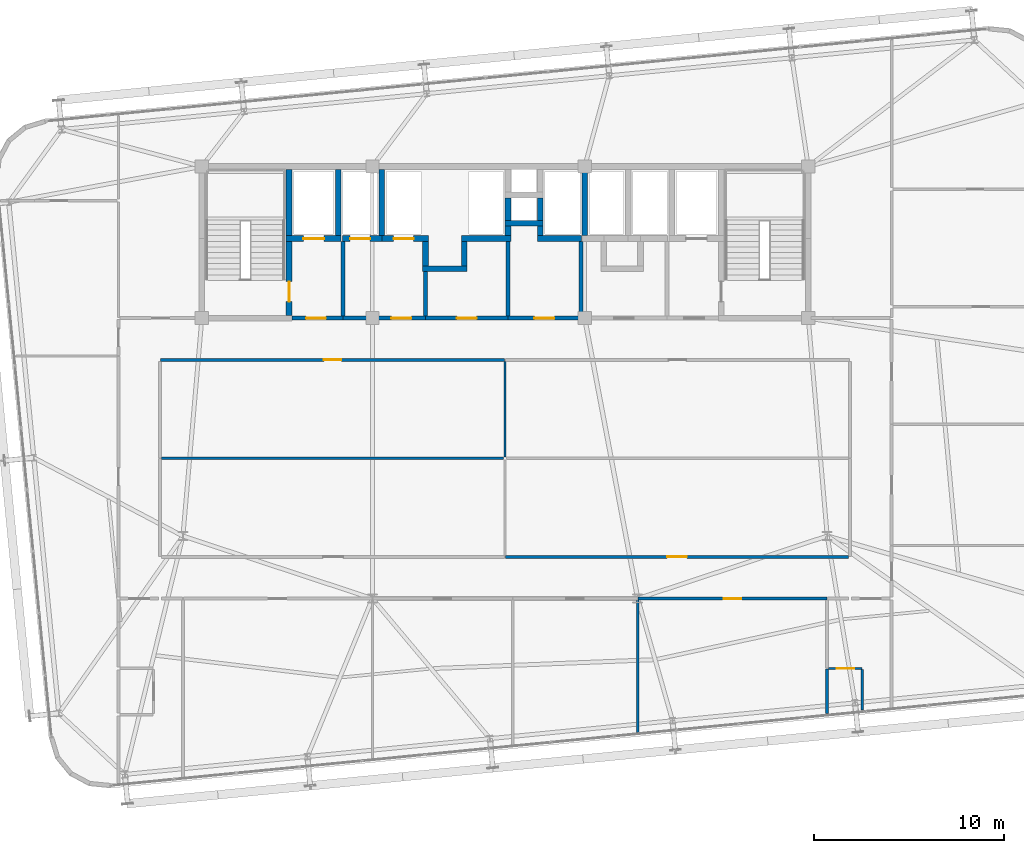
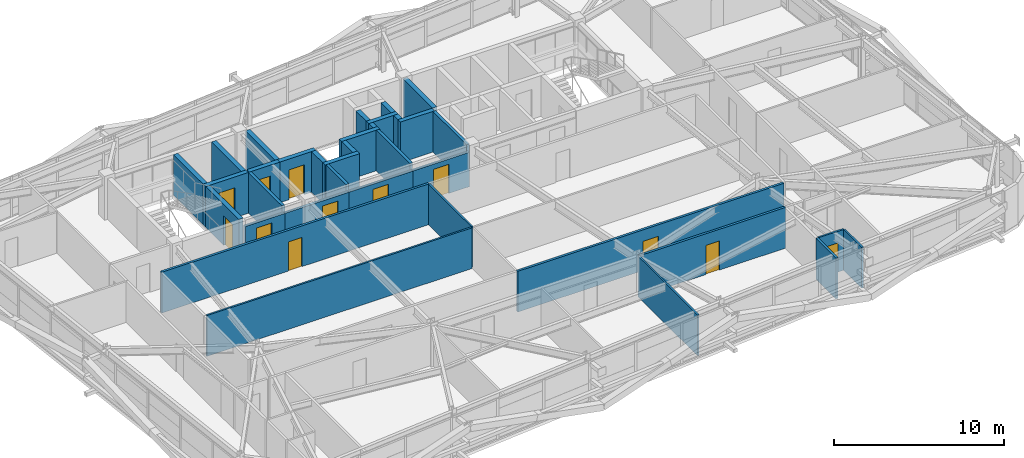
# One storey, part 47 of 52: 35 walls, 12 doors, 12 openings.
"""IFC4 building model written with IfcOpenShell, lengths in metres."""

from ifc_helpers import new_model, si_unit, direction, frame, frame_2d, origin, place, context, subcontext, project, spatial, rectangle, extrude, source, transform, mapped, material, layer, layer_set, type_object, element, fill, save


model = new_model("IFC4")

# Units and contexts
model_context = context("Model", 3, precision=1e-05, world=origin(), true_north=direction((0.0, 1.0)))
body_context = subcontext(model_context, "Body", "Model", "MODEL_VIEW")
ifc_project = project(units=[si_unit("LENGTHUNIT", "METRE"), si_unit("AREAUNIT", "SQUARE_METRE"), si_unit("VOLUMEUNIT", "CUBIC_METRE"), si_unit("PLANEANGLEUNIT", "RADIAN"), si_unit("MASSUNIT", "GRAM", prefix="KILO")], contexts=[model_context])

# Site, building, storey
site_placement = place(None, origin())
site = spatial("IfcSite", under=ifc_project, at=site_placement, CompositionType="ELEMENT")
building_placement = place(site_placement, origin())
building = spatial("IfcBuilding", under=site, at=building_placement, Name="Taldren Reach Tower", CompositionType="ELEMENT")
storey_placement = place(building_placement, frame((0.0, 0.0, 74.550048828125)))
storey = spatial("IfcBuildingStorey", under=building, at=storey_placement, Name="L22", CompositionType="ELEMENT", Elevation=74.550048828125)

# Wall, opening, door
ifc_material_1 = material(Name="Concrete S50 (50 MPa)", Category="concrete")
ifc_layer_1 = layer(ifc_material_1, 0.199951171875)
ifc_layer_set_1 = layer_set([ifc_layer_1], Name="Concrete S50 (50 MPa)")
wall_type_1 = type_object("IfcWallType", Name="IW-CORE-200", PredefinedType="SOLIDWALL", material=ifc_layer_set_1)
shared_shape_1 = source(origin(), body_context, "Body", "SweptSolid", [
    extrude(rectangle(XDim=4.35009765625, YDim=0.199951171875, at=frame_2d((2.175048828125, 0.0))), origin(), (0.0, 0.0, 1.0), 2.469970703125),
])
wall_1_placement = place(storey_placement, frame((30.800048828125, 24.0, 0.0), z_axis=(0.0, 0.0, 1.0), x_axis=(-1.0, 0.0, 0.0)))
wall_1 = element("IfcWall", 1, at=wall_1_placement, inside=storey, type_object=wall_type_1, Name="Rear Core Shear Wall W-INT-L22-033", PredefinedType="SOLIDWALL", context=body_context, shape_type="MappedRepresentation", body=[
    mapped(shared_shape_1, transform((0.0, 0.0, 0.0), scale=1.0)),
])
shared_shape_2 = source(origin(), body_context, "Body", "SweptSolid", [
    extrude(rectangle(XDim=1.050048828125, YDim=2.10009765625, at=frame_2d((0.52490234375, 1.050048828125))), frame((0.0, 0.10986328125, 0.0), z_axis=(0.0, -1.0, 0.0), x_axis=(1.0, 0.0, 0.0)), (0.0, 0.0, 1.0), 0.219970703125),
])
opening_1_placement = place(wall_1_placement, frame((0.75, 0.0, 0.0)))
opening_1 = element("IfcOpeningElement", 2, at=opening_1_placement, cuts=wall_1, Name="Opening DF-105", PredefinedType="OPENING", context=body_context, shape_type="MappedRepresentation", body=[
    mapped(shared_shape_2, transform((0.0, 0.0, 0.0), scale=1.0)),
])
ifc_material_2 = material(Name="Fire-Rated Care and Stair Exit Door")
door_type_1 = type_object("IfcDoorType", Name="ID-FIRE-105", OperationType="NOTDEFINED", PredefinedType="DOOR", material=ifc_material_2)
shared_shape_3 = source(origin(), body_context, "Body", "SweptSolid", [
    extrude(rectangle(XDim=1.050048828125, YDim=2.10009765625, at=frame_2d((0.52490234375, 1.050048828125))), frame((0.0, 0.02490234375, 0.0), z_axis=(0.0, -1.0, 0.0), x_axis=(1.0, 0.0, 0.0)), (0.0, 0.0, 1.0), 0.050048828125),
])
door_1_placement = place(opening_1_placement, frame((1.050048828125, 0.0, 0.0), z_axis=(0.0, 0.0, 1.0), x_axis=(-1.0, 0.0, 0.0)))
door_1 = element("IfcDoor", 3, at=door_1_placement, inside=storey, type_object=door_type_1, Name="Interior Door DR-L22-005", OperationType="SINGLE_SWING_RIGHT", OverallHeight=2.10009765625, OverallWidth=1.050048828125, PredefinedType="DOOR", context=body_context, shape_type="MappedRepresentation", body=[
    mapped(shared_shape_3, transform((0.0, 0.0, 0.0), scale=1.0)),
])
fill(opening_1, door_1)

shared_shape_4 = source(origin(), body_context, "Body", "SweptSolid", [
    extrude(rectangle(XDim=4.349853515625, YDim=0.199951171875, at=frame_2d((2.1748046875, 0.0))), origin(), (0.0, 0.0, 1.0), 2.469970703125),
])
wall_2_placement = place(storey_placement, frame((35.14990234375, 24.0, 0.0), z_axis=(0.0, 0.0, 1.0), x_axis=(-1.0, 0.0, 0.0)))
wall_2 = element("IfcWall", 4, at=wall_2_placement, inside=storey, type_object=wall_type_1, Name="Rear Core Shear Wall W-INT-L22-043", PredefinedType="SOLIDWALL", context=body_context, shape_type="MappedRepresentation", body=[
    mapped(shared_shape_4, transform((0.0, 0.0, 0.0), scale=1.0)),
])
opening_2_placement = place(wall_2_placement, frame((1.64990234375, 0.0, 0.0)))
opening_2 = element("IfcOpeningElement", 5, at=opening_2_placement, cuts=wall_2, Name="Opening DF-105", PredefinedType="OPENING", context=body_context, shape_type="MappedRepresentation", body=[
    mapped(shared_shape_2, transform((0.0, 0.0, 0.0), scale=1.0)),
])
door_2_placement = place(opening_2_placement, frame((1.050048828125, 0.0, 0.0), z_axis=(0.0, 0.0, 1.0), x_axis=(-1.0, 0.0, 0.0)))
door_2 = element("IfcDoor", 6, at=door_2_placement, inside=storey, type_object=door_type_1, Name="Interior Door DR-L22-006", OperationType="SINGLE_SWING_RIGHT", OverallHeight=2.10009765625, OverallWidth=1.050048828125, PredefinedType="DOOR", context=body_context, shape_type="MappedRepresentation", body=[
    mapped(shared_shape_3, transform((0.0, 0.0, 0.0), scale=1.0)),
])
fill(opening_2, door_2)

shared_shape_5 = source(origin(), body_context, "Body", "SweptSolid", [
    extrude(rectangle(XDim=3.85009765625, YDim=0.199951171875, at=frame_2d((1.925048828125, 0.0))), origin(), (0.0, 0.0, 1.0), 2.469970703125),
])
wall_3_placement = place(storey_placement, frame((39.0, 24.0, 0.0), z_axis=(0.0, 0.0, 1.0), x_axis=(-1.0, 0.0, 0.0)))
wall_3 = element("IfcWall", 7, at=wall_3_placement, inside=storey, type_object=wall_type_1, Name="Rear Core Shear Wall W-INT-L22-045", PredefinedType="SOLIDWALL", context=body_context, shape_type="MappedRepresentation", body=[
    mapped(shared_shape_5, transform((0.0, 0.0, 0.0), scale=1.0)),
])
opening_3_placement = place(wall_3_placement, frame((1.39990234375, 0.0, 0.0)))
opening_3 = element("IfcOpeningElement", 8, at=opening_3_placement, cuts=wall_3, Name="Opening DF-105", PredefinedType="OPENING", context=body_context, shape_type="MappedRepresentation", body=[
    mapped(shared_shape_2, transform((0.0, 0.0, 0.0), scale=1.0)),
])
door_3_placement = place(opening_3_placement, frame((1.050048828125, 0.0, 0.0), z_axis=(0.0, 0.0, 1.0), x_axis=(-1.0, 0.0, 0.0)))
door_3 = element("IfcDoor", 9, at=door_3_placement, inside=storey, type_object=door_type_1, Name="Interior Door DR-L22-007", OperationType="SINGLE_SWING_LEFT", OverallHeight=2.10009765625, OverallWidth=1.050048828125, PredefinedType="DOOR", context=body_context, shape_type="MappedRepresentation", body=[
    mapped(shared_shape_3, transform((0.0, 0.0, 0.0), scale=1.0)),
])
fill(opening_3, door_3)

ifc_material_3 = material(Name="Fire-Rated Acoustic Plasterboard Stud Wall", Category="gypsum")
ifc_layer_2 = layer(ifc_material_3, 0.159912109375)
ifc_layer_set_2 = layer_set([ifc_layer_2], Name="Fire-Rated Acoustic Plasterboard Stud Wall")
wall_type_2 = type_object("IfcWallType", Name="IW-FIRE-160", PredefinedType="PARTITIONING", material=ifc_layer_set_2)
shared_shape_6 = source(origin(), body_context, "Body", "SweptSolid", [
    extrude(rectangle(XDim=18.159423828125, YDim=0.159912109375, at=frame_2d((9.07958984375, 0.0))), origin(), (0.0, 0.0, 1.0), 2.929931640625),
])
wall_4_placement = place(storey_placement, frame((34.979736328125, 21.800048828125, 0.0), z_axis=(0.0, 0.0, 1.0), x_axis=(-1.0, 0.0, 0.0)))
wall_4 = element("IfcWall", 10, at=wall_4_placement, inside=storey, type_object=wall_type_2, Name="Interior Partition Wall W-INT-L22-048", PredefinedType="PARTITIONING", context=body_context, shape_type="MappedRepresentation", body=[
    mapped(shared_shape_6, transform((0.0, 0.0, 0.0), scale=1.0)),
])
shared_shape_7 = source(origin(), body_context, "Body", "SweptSolid", [
    extrude(rectangle(XDim=0.919921875, YDim=2.10009765625, at=frame_2d((0.4599609375, 1.050048828125))), frame((0.0, 0.08984375, 0.0), z_axis=(0.0, -1.0, 0.0), x_axis=(1.0, 0.0, 0.0)), (0.0, 0.0, 1.0), 0.179931640625),
])
opening_4_placement = place(wall_4_placement, frame((8.619873046875, 0.0, 0.0)))
opening_4 = element("IfcOpeningElement", 11, at=opening_4_placement, cuts=wall_4, Name="Opening DI-092", PredefinedType="OPENING", context=body_context, shape_type="MappedRepresentation", body=[
    mapped(shared_shape_7, transform((0.0, 0.0, 0.0), scale=1.0)),
])
ifc_material_4 = material(Name="Solid-Core Timber Suite Door", Category="wood")
door_type_2 = type_object("IfcDoorType", Name="ID-INT-092", OperationType="NOTDEFINED", PredefinedType="DOOR", material=ifc_material_4)
shared_shape_8 = source(origin(), body_context, "Body", "SweptSolid", [
    extrude(rectangle(XDim=0.919921875, YDim=2.10009765625, at=frame_2d((0.4599609375, 1.050048828125))), frame((0.0, 0.02490234375, 0.0), z_axis=(0.0, -1.0, 0.0), x_axis=(1.0, 0.0, 0.0)), (0.0, 0.0, 1.0), 0.050048828125),
])
door_4_placement = place(opening_4_placement, origin())
door_4 = element("IfcDoor", 12, at=door_4_placement, inside=storey, type_object=door_type_2, Name="Interior Door DR-L22-009", OperationType="SINGLE_SWING_RIGHT", OverallHeight=2.10009765625, OverallWidth=0.919921875, PredefinedType="DOOR", context=body_context, shape_type="MappedRepresentation", body=[
    mapped(shared_shape_8, transform((0.0, 0.0, 0.0), scale=1.0)),
])
fill(opening_4, door_4)

shared_shape_9 = source(origin(), body_context, "Body", "SweptSolid", [
    extrude(rectangle(XDim=18.099853515625, YDim=0.159912109375, at=frame_2d((9.0498046875, 0.0))), origin(), (0.0, 0.0, 1.0), 2.929931640625),
])
wall_5_placement = place(storey_placement, frame((35.020263671875, 11.39990234375, 0.0), z_axis=(0.0, 0.0, 1.0), x_axis=(1.0, 0.0, 0.0)))
wall_5 = element("IfcWall", 13, at=wall_5_placement, inside=storey, type_object=wall_type_2, Name="Interior Partition Wall W-INT-L22-063", PredefinedType="PARTITIONING", context=body_context, shape_type="MappedRepresentation", body=[
    mapped(shared_shape_9, transform((0.0, 0.0, 0.0), scale=1.0)),
])
shared_shape_10 = source(origin(), body_context, "Body", "SweptSolid", [
    extrude(rectangle(XDim=1.050048828125, YDim=2.10009765625, at=frame_2d((0.52490234375, 1.050048828125))), frame((0.0, 0.08984375, 0.0), z_axis=(0.0, -1.0, 0.0), x_axis=(1.0, 0.0, 0.0)), (0.0, 0.0, 1.0), 0.179931640625),
])
opening_5_placement = place(wall_5_placement, frame((8.52490234375, 0.0, 0.0)))
opening_5 = element("IfcOpeningElement", 14, at=opening_5_placement, cuts=wall_5, Name="Opening DF-105", PredefinedType="OPENING", context=body_context, shape_type="MappedRepresentation", body=[
    mapped(shared_shape_10, transform((0.0, 0.0, 0.0), scale=1.0)),
])
door_5_placement = place(opening_5_placement, origin())
door_5 = element("IfcDoor", 15, at=door_5_placement, inside=storey, type_object=door_type_1, Name="Interior Door DR-L22-020", OperationType="SINGLE_SWING_LEFT", OverallHeight=2.10009765625, OverallWidth=1.050048828125, PredefinedType="DOOR", context=body_context, shape_type="MappedRepresentation", body=[
    mapped(shared_shape_3, transform((0.0, 0.0, 0.0), scale=1.0)),
])
fill(opening_5, door_5)

# Walls
ifc_material_5 = material(Name="Insulated Residential Stud Partition", Category="gypsum")
ifc_layer_3 = layer(ifc_material_5, 0.1201171875)
ifc_layer_set_3 = layer_set([ifc_layer_3], Name="Insulated Residential Stud Partition")
wall_type_3 = type_object("IfcWallType", Name="IW-PART-120", PredefinedType="PARTITIONING", material=ifc_layer_set_3)
shared_shape_11 = source(origin(), body_context, "Body", "SweptSolid", [
    extrude(rectangle(XDim=18.0400390625, YDim=0.1201171875, at=frame_2d((9.02001953125, 0.0))), origin(), (0.0, 0.0, 1.0), 2.929931640625),
])
wall_6_placement = place(storey_placement, frame((16.8798828125, 16.60009765625, 0.0), z_axis=(0.0, 0.0, 1.0), x_axis=(1.0, 0.0, 0.0)))
element("IfcWall", 16, at=wall_6_placement, inside=storey, type_object=wall_type_3, Name="Interior Partition Wall W-INT-L22-070", PredefinedType="PARTITIONING", context=body_context, shape_type="MappedRepresentation", body=[
    mapped(shared_shape_11, transform((0.0, 0.0, 0.0), scale=1.0)),
])
shared_shape_12 = source(origin(), body_context, "Body", "SweptSolid", [
    extrude(rectangle(XDim=5.0400390625, YDim=0.1201171875, at=frame_2d((2.52001953125, 0.0))), origin(), (0.0, 0.0, 1.0), 2.929931640625),
])
wall_7_placement = place(storey_placement, frame((35.0, 21.719970703125, 0.0), z_axis=(0.0, 0.0, 1.0), x_axis=(0.0, -1.0, 0.0)))
element("IfcWall", 17, at=wall_7_placement, inside=storey, type_object=wall_type_3, Name="Interior Partition Wall W-INT-L22-072", PredefinedType="PARTITIONING", context=body_context, shape_type="MappedRepresentation", body=[
    mapped(shared_shape_12, transform((0.0, 0.0, 0.0), scale=1.0)),
])

# Wall, opening, door
shared_shape_13 = source(origin(), body_context, "Body", "SweptSolid", [
    extrude(rectangle(XDim=1.749755859375, YDim=0.1201171875, at=frame_2d((0.875, 0.0))), origin(), (0.0, 0.0, 1.0), 2.929931640625),
])
wall_8_placement = place(storey_placement, frame((53.829833984375, 5.51025390625, 0.0), z_axis=(0.0, 0.0, 1.0), x_axis=(-1.0, 0.0, 0.0)))
wall_8 = element("IfcWall", 18, at=wall_8_placement, inside=storey, type_object=wall_type_3, Name="Interior Partition Wall W-INT-L22-087", PredefinedType="PARTITIONING", context=body_context, shape_type="MappedRepresentation", body=[
    mapped(shared_shape_13, transform((0.0, 0.0, 0.0), scale=1.0)),
])
shared_shape_14 = source(origin(), body_context, "Body", "SweptSolid", [
    extrude(rectangle(XDim=0.919921875, YDim=2.10009765625, at=frame_2d((0.4599609375, 1.050048828125))), frame((0.0, 0.070068359375, 0.0), z_axis=(0.0, -1.0, 0.0), x_axis=(1.0, 0.0, 0.0)), (0.0, 0.0, 1.0), 0.14013671875),
])
opening_6_placement = place(wall_8_placement, frame((0.414794921875, 0.0, 0.0)))
opening_6 = element("IfcOpeningElement", 19, at=opening_6_placement, cuts=wall_8, Name="Opening DI-092", PredefinedType="OPENING", context=body_context, shape_type="MappedRepresentation", body=[
    mapped(shared_shape_14, transform((0.0, 0.0, 0.0), scale=1.0)),
])
door_6_placement = place(opening_6_placement, origin())
door_6 = element("IfcDoor", 20, at=door_6_placement, inside=storey, type_object=door_type_2, Name="Interior Door DR-L22-026", OperationType="SINGLE_SWING_LEFT", OverallHeight=2.10009765625, OverallWidth=0.919921875, PredefinedType="DOOR", context=body_context, shape_type="MappedRepresentation", body=[
    mapped(shared_shape_8, transform((0.0, 0.0, 0.0), scale=1.0)),
])
fill(opening_6, door_6)

shared_shape_15 = source(origin(), body_context, "Body", "SweptSolid", [
    extrude(rectangle(XDim=9.95947265625, YDim=0.159912109375, at=frame_2d((4.979736328125, 0.0))), origin(), (0.0, 0.0, 1.0), 2.929931640625),
])
wall_9_placement = place(storey_placement, frame((51.979736328125, 9.199951171875, 0.0), z_axis=(0.0, 0.0, 1.0), x_axis=(-1.0, 0.0, 0.0)))
wall_9 = element("IfcWall", 21, at=wall_9_placement, inside=storey, type_object=wall_type_2, Name="Interior Partition Wall W-INT-L22-068", PredefinedType="PARTITIONING", context=body_context, shape_type="MappedRepresentation", body=[
    mapped(shared_shape_15, transform((0.0, 0.0, 0.0), scale=1.0)),
])
opening_7_placement = place(wall_9_placement, frame((4.519775390625, 0.0, 0.0)))
opening_7 = element("IfcOpeningElement", 22, at=opening_7_placement, cuts=wall_9, Name="Opening DI-092", PredefinedType="OPENING", context=body_context, shape_type="MappedRepresentation", body=[
    mapped(shared_shape_7, transform((0.0, 0.0, 0.0), scale=1.0)),
])
door_7_placement = place(opening_7_placement, origin())
door_7 = element("IfcDoor", 23, at=door_7_placement, inside=storey, type_object=door_type_2, Name="Interior Door DR-L22-024", OperationType="SINGLE_SWING_LEFT", OverallHeight=2.10009765625, OverallWidth=0.919921875, PredefinedType="DOOR", context=body_context, shape_type="MappedRepresentation", body=[
    mapped(shared_shape_8, transform((0.0, 0.0, 0.0), scale=1.0)),
])
fill(opening_7, door_7)

# Walls
ifc_material_6 = material(Name="Concrete S65 (65 MPa)", Category="concrete")
ifc_layer_4 = layer(ifc_material_6, 0.300048828125)
ifc_layer_set_4 = layer_set([ifc_layer_4], Name="Concrete S65 (65 MPa)")
wall_type_4 = type_object("IfcWallType", Name="IW-CORE-300", PredefinedType="SHEAR", material=ifc_layer_set_4)
shared_shape_16 = source(origin(), body_context, "Body", "SweptSolid", [
    extrude(rectangle(XDim=3.5, YDim=0.300048828125, at=frame_2d((1.75, 0.0))), origin(), (0.0, 0.0, 1.0), 2.929931640625),
])
for number, where, z_axis, x_axis, name in (
    (24, (23.60009765625, 28.35009765625, 0.0), (0.0, 0.0, 1.0), (0.0, 1.0, 0.0), "Rear Core Shear Wall W-INT-L22-001"),
    (25, (26.199951171875, 28.35009765625, 0.0), (0.0, 0.0, 1.0), (0.0, 1.0, 0.0), "Rear Core Shear Wall W-INT-L22-005"),
    (26, (28.5, 28.35009765625, 0.0), (0.0, 0.0, 1.0), (0.0, 1.0, 0.0), "Rear Core Shear Wall W-INT-L22-029"),
    (27, (39.199951171875, 28.35009765625, 0.0), (0.0, 0.0, 1.0), (0.0, 1.0, 0.0), "Rear Core Shear Wall W-INT-L22-036"),
):
    element("IfcWall", number, at=place(storey_placement, frame(where, z_axis=z_axis, x_axis=x_axis)), inside=storey, type_object=wall_type_4, Name=name, PredefinedType="SHEAR", context=body_context, shape_type="MappedRepresentation", body=[
        mapped(shared_shape_16, transform((0.0, 0.0, 0.0), scale=1.0)),
    ])

# Wall, opening, door
shared_shape_17 = source(origin(), body_context, "Body", "SweptSolid", [
    extrude(rectangle(XDim=3.900146484375, YDim=0.300048828125, at=frame_2d((1.9501953125, 0.0))), origin(), (0.0, 0.0, 1.0), 2.929931640625),
])
wall_10_placement = place(storey_placement, frame((23.60009765625, 24.14990234375, 0.0), z_axis=(0.0, 0.0, 1.0), x_axis=(0.0, 1.0, 0.0)))
wall_10 = element("IfcWall", 28, at=wall_10_placement, inside=storey, type_object=wall_type_4, Name="Rear Core Shear Wall W-INT-L22-002", PredefinedType="SHEAR", context=body_context, shape_type="MappedRepresentation", body=[
    mapped(shared_shape_17, transform((0.0, 0.0, 0.0), scale=1.0)),
])
shared_shape_18 = source(origin(), body_context, "Body", "SweptSolid", [
    extrude(rectangle(XDim=1.050048828125, YDim=2.10009765625, at=frame_2d((0.52490234375, 1.050048828125))), frame((0.0, 0.16015625, 0.0), z_axis=(0.0, -1.0, 0.0), x_axis=(1.0, 0.0, 0.0)), (0.0, 0.0, 1.0), 0.320068359375),
])
opening_8_placement = place(wall_10_placement, frame((0.72509765625, 0.0, 0.0)))
opening_8 = element("IfcOpeningElement", 29, at=opening_8_placement, cuts=wall_10, Name="Opening DF-105", PredefinedType="OPENING", context=body_context, shape_type="MappedRepresentation", body=[
    mapped(shared_shape_18, transform((0.0, 0.0, 0.0), scale=1.0)),
])
door_8_placement = place(opening_8_placement, origin())
door_8 = element("IfcDoor", 30, at=door_8_placement, inside=storey, type_object=door_type_1, Name="Fire Exit Stair Door DR-L22-001", OperationType="SINGLE_SWING_LEFT", OverallHeight=2.10009765625, OverallWidth=1.050048828125, PredefinedType="DOOR", context=body_context, shape_type="MappedRepresentation", body=[
    mapped(shared_shape_3, transform((0.0, 0.0, 0.0), scale=1.0)),
])
fill(opening_8, door_8)

shared_shape_19 = source(origin(), body_context, "Body", "SweptSolid", [
    extrude(rectangle(XDim=2.900146484375, YDim=0.300048828125, at=frame_2d((1.4501953125, 0.0))), origin(), (0.0, 0.0, 1.0), 2.929931640625),
])
wall_11_placement = place(storey_placement, frame((23.449951171875, 28.199951171875, 0.0), z_axis=(0.0, 0.0, 1.0), x_axis=(1.0, 0.0, 0.0)))
wall_11 = element("IfcWall", 31, at=wall_11_placement, inside=storey, type_object=wall_type_4, Name="Rear Core Shear Wall W-INT-L22-004", PredefinedType="SHEAR", context=body_context, shape_type="MappedRepresentation", body=[
    mapped(shared_shape_19, transform((0.0, 0.0, 0.0), scale=1.0)),
])
shared_shape_20 = source(origin(), body_context, "Body", "SweptSolid", [
    extrude(rectangle(XDim=1.10009765625, YDim=2.14990234375, at=frame_2d((0.550048828125, 1.074951171875))), frame((0.0, 0.16015625, 0.0), z_axis=(0.0, -1.0, 0.0), x_axis=(1.0, 0.0, 0.0)), (0.0, 0.0, 1.0), 0.320068359375),
])
opening_9_placement = place(wall_11_placement, frame((0.89990234375, 0.0, 0.0)))
opening_9 = element("IfcOpeningElement", 32, at=opening_9_placement, cuts=wall_11, Name="Opening LD-FL1", PredefinedType="OPENING", context=body_context, shape_type="MappedRepresentation", body=[
    mapped(shared_shape_20, transform((0.0, 0.0, 0.0), scale=1.0)),
])
ifc_material_7 = material(Name="Stainless Steel Gr 316 Emergency Lift Landing Door", Category="steel")
door_type_3 = type_object("IfcDoorType", Name="LD-EMG-110", OperationType="SLIDING_TO_LEFT", PredefinedType="DOOR", material=ifc_material_7)
shared_shape_21 = source(origin(), body_context, "Body", "SweptSolid", [
    extrude(rectangle(XDim=1.10009765625, YDim=2.14990234375, at=frame_2d((0.550048828125, 1.074951171875))), frame((0.0, 0.02490234375, 0.0), z_axis=(0.0, -1.0, 0.0), x_axis=(1.0, 0.0, 0.0)), (0.0, 0.0, 1.0), 0.050048828125),
])
door_9_placement = place(opening_9_placement, origin())
door_9 = element("IfcDoor", 33, at=door_9_placement, inside=storey, type_object=door_type_3, Name="Lift Landing Door LD-FL1-L22", OperationType="SLIDING_TO_LEFT", OverallHeight=2.14990234375, OverallWidth=1.10009765625, PredefinedType="DOOR", context=body_context, shape_type="MappedRepresentation", body=[
    mapped(shared_shape_21, transform((0.0, 0.0, 0.0), scale=1.0)),
])
fill(opening_9, door_9)

# Walls
shared_shape_22 = source(origin(), body_context, "Body", "SweptSolid", [
    extrude(rectangle(XDim=3.949951171875, YDim=0.199951171875, at=frame_2d((1.97509765625, 0.0))), origin(), (0.0, 0.0, 1.0), 2.929931640625),
])
for number, where, z_axis, x_axis, name in (
    (34, (26.449951171875, 24.10009765625, 0.0), (0.0, 0.0, 1.0), (0.0, 1.0, 0.0), "Rear Core Shear Wall W-INT-L22-006"),
    (35, (35.14990234375, 28.050048828125, 0.0), (0.0, 0.0, 1.0), (0.0, -1.0, 0.0), "Rear Core Shear Wall W-INT-L22-042"),
    (36, (39.0, 28.050048828125, 0.0), (0.0, 0.0, 1.0), (0.0, -1.0, 0.0), "Rear Core Shear Wall W-INT-L22-044"),
):
    element("IfcWall", number, at=place(storey_placement, frame(where, z_axis=z_axis, x_axis=x_axis)), inside=storey, type_object=wall_type_1, Name=name, PredefinedType="SOLIDWALL", context=body_context, shape_type="MappedRepresentation", body=[
        mapped(shared_shape_22, transform((0.0, 0.0, 0.0), scale=1.0)),
    ])

# Wall, opening, door
shared_shape_23 = source(origin(), body_context, "Body", "SweptSolid", [
    extrude(rectangle(XDim=2.699951171875, YDim=0.199951171875, at=frame_2d((1.35009765625, 0.0))), origin(), (0.0, 0.0, 1.0), 2.469970703125),
])
wall_12_placement = place(storey_placement, frame((23.75, 24.0, 0.0), z_axis=(0.0, 0.0, 1.0), x_axis=(1.0, 0.0, 0.0)))
wall_12 = element("IfcWall", 37, at=wall_12_placement, inside=storey, type_object=wall_type_1, Name="Rear Core Shear Wall W-INT-L22-007", PredefinedType="SOLIDWALL", context=body_context, shape_type="MappedRepresentation", body=[
    mapped(shared_shape_23, transform((0.0, 0.0, 0.0), scale=1.0)),
])
opening_10_placement = place(wall_12_placement, frame((0.75, 0.0, 0.0)))
opening_10 = element("IfcOpeningElement", 38, at=opening_10_placement, cuts=wall_12, Name="Opening DF-105", PredefinedType="OPENING", context=body_context, shape_type="MappedRepresentation", body=[
    mapped(shared_shape_2, transform((0.0, 0.0, 0.0), scale=1.0)),
])
door_10_placement = place(opening_10_placement, origin())
door_10 = element("IfcDoor", 39, at=door_10_placement, inside=storey, type_object=door_type_1, Name="Interior Door DR-L22-002", OperationType="SINGLE_SWING_LEFT", OverallHeight=2.10009765625, OverallWidth=1.050048828125, PredefinedType="DOOR", context=body_context, shape_type="MappedRepresentation", body=[
    mapped(shared_shape_3, transform((0.0, 0.0, 0.0), scale=1.0)),
])
fill(opening_10, door_10)

# Walls
shared_shape_24 = source(origin(), body_context, "Body", "SweptSolid", [
    extrude(rectangle(XDim=2.0, YDim=0.300048828125, at=frame_2d((1.0, 0.0))), origin(), (0.0, 0.0, 1.0), 2.929931640625),
])
wall_13_placement = place(storey_placement, frame((35.0, 29.0, 0.0), z_axis=(0.0, 0.0, 1.0), x_axis=(1.0, 0.0, 0.0)))
element("IfcWall", 40, at=wall_13_placement, inside=storey, type_object=wall_type_4, Name="Rear Core Shear Wall W-INT-L22-020", PredefinedType="SHEAR", context=body_context, shape_type="MappedRepresentation", body=[
    mapped(shared_shape_24, transform((0.0, 0.0, 0.0), scale=1.0)),
])
shared_shape_25 = source(origin(), body_context, "Body", "SweptSolid", [
    extrude(rectangle(XDim=1.2001953125, YDim=0.300048828125, at=frame_2d((0.60009765625, 0.0))), origin(), (0.0, 0.0, 1.0), 2.929931640625),
])
for number, where, z_axis, x_axis, name in (
    (41, (35.14990234375, 30.35009765625, 0.0), (0.0, 0.0, 1.0), (0.0, -1.0, 0.0), "Rear Core Shear Wall W-INT-L22-018"),
    (42, (36.85009765625, 29.14990234375, 0.0), (0.0, 0.0, 1.0), (0.0, 1.0, 0.0), "Rear Core Shear Wall W-INT-L22-019"),
):
    element("IfcWall", number, at=place(storey_placement, frame(where, z_axis=z_axis, x_axis=x_axis)), inside=storey, type_object=wall_type_4, Name=name, PredefinedType="SHEAR", context=body_context, shape_type="MappedRepresentation", body=[
        mapped(shared_shape_25, transform((0.0, 0.0, 0.0), scale=1.0)),
    ])
shared_shape_26 = source(origin(), body_context, "Body", "SweptSolid", [
    extrude(rectangle(XDim=1.300048828125, YDim=0.300048828125, at=frame_2d((0.64990234375, 0.0))), origin(), (0.0, 0.0, 1.0), 2.929931640625),
])
for number, where, z_axis, x_axis, name in (
    (43, (30.800048828125, 28.050048828125, 0.0), (0.0, 0.0, 1.0), (0.0, -1.0, 0.0), "Rear Core Shear Wall W-INT-L22-021"),
    (44, (32.85009765625, 26.75, 0.0), (0.0, 0.0, 1.0), (0.0, 1.0, 0.0), "Rear Core Shear Wall W-INT-L22-023"),
):
    element("IfcWall", number, at=place(storey_placement, frame(where, z_axis=z_axis, x_axis=x_axis)), inside=storey, type_object=wall_type_4, Name=name, PredefinedType="SHEAR", context=body_context, shape_type="MappedRepresentation", body=[
        mapped(shared_shape_26, transform((0.0, 0.0, 0.0), scale=1.0)),
    ])

# Wall, opening, door
shared_shape_27 = source(origin(), body_context, "Body", "SweptSolid", [
    extrude(rectangle(XDim=2.070068359375, YDim=0.300048828125, at=frame_2d((1.03515625, 0.0))), origin(), (0.0, 0.0, 1.0), 2.929931640625),
])
wall_14_placement = place(storey_placement, frame((26.429931640625, 28.199951171875, 0.0), z_axis=(0.0, 0.0, 1.0), x_axis=(1.0, 0.0, 0.0)))
wall_14 = element("IfcWall", 45, at=wall_14_placement, inside=storey, type_object=wall_type_4, Name="Rear Core Shear Wall W-INT-L22-030", PredefinedType="SHEAR", context=body_context, shape_type="MappedRepresentation", body=[
    mapped(shared_shape_27, transform((0.0, 0.0, 0.0), scale=1.0)),
])
shared_shape_28 = source(origin(), body_context, "Body", "SweptSolid", [
    extrude(rectangle(XDim=1.050048828125, YDim=2.14990234375, at=frame_2d((0.52490234375, 1.074951171875))), frame((0.0, 0.16015625, 0.0), z_axis=(0.0, -1.0, 0.0), x_axis=(1.0, 0.0, 0.0)), (0.0, 0.0, 1.0), 0.320068359375),
])
opening_11_placement = place(wall_14_placement, frame((0.39501953125, 0.0, 0.0)))
opening_11 = element("IfcOpeningElement", 46, at=opening_11_placement, cuts=wall_14, Name="Opening LD-PL1", PredefinedType="OPENING", context=body_context, shape_type="MappedRepresentation", body=[
    mapped(shared_shape_28, transform((0.0, 0.0, 0.0), scale=1.0)),
])
ifc_material_8 = material(Name="Stainless Steel Gr 316 Passenger Lift Landing Door", Category="steel")
door_type_4 = type_object("IfcDoorType", Name="LD-PAS-105", OperationType="SLIDING_TO_LEFT", PredefinedType="DOOR", material=ifc_material_8)
shared_shape_29 = source(origin(), body_context, "Body", "SweptSolid", [
    extrude(rectangle(XDim=1.050048828125, YDim=2.14990234375, at=frame_2d((0.52490234375, 1.074951171875))), frame((0.0, 0.02490234375, 0.0), z_axis=(0.0, -1.0, 0.0), x_axis=(1.0, 0.0, 0.0)), (0.0, 0.0, 1.0), 0.050048828125),
])
door_11_placement = place(opening_11_placement, origin())
door_11 = element("IfcDoor", 47, at=door_11_placement, inside=storey, type_object=door_type_4, Name="Lift Landing Door LD-PL1-L22", OperationType="SLIDING_TO_LEFT", OverallHeight=2.14990234375, OverallWidth=1.050048828125, PredefinedType="DOOR", context=body_context, shape_type="MappedRepresentation", body=[
    mapped(shared_shape_29, transform((0.0, 0.0, 0.0), scale=1.0)),
])
fill(opening_11, door_11)

shared_shape_30 = source(origin(), body_context, "Body", "SweptSolid", [
    extrude(rectangle(XDim=2.449951171875, YDim=0.300048828125, at=frame_2d((1.22509765625, 0.0))), origin(), (0.0, 0.0, 1.0), 2.929931640625),
])
wall_15_placement = place(storey_placement, frame((28.5, 28.199951171875, 0.0), z_axis=(0.0, 0.0, 1.0), x_axis=(1.0, 0.0, 0.0)))
wall_15 = element("IfcWall", 48, at=wall_15_placement, inside=storey, type_object=wall_type_4, Name="Rear Core Shear Wall W-INT-L22-031", PredefinedType="SHEAR", context=body_context, shape_type="MappedRepresentation", body=[
    mapped(shared_shape_30, transform((0.0, 0.0, 0.0), scale=1.0)),
])
opening_12_placement = place(wall_15_placement, frame((0.625, 0.0, 0.0)))
opening_12 = element("IfcOpeningElement", 49, at=opening_12_placement, cuts=wall_15, Name="Opening LD-PL2", PredefinedType="OPENING", context=body_context, shape_type="MappedRepresentation", body=[
    mapped(shared_shape_28, transform((0.0, 0.0, 0.0), scale=1.0)),
])
door_12_placement = place(opening_12_placement, origin())
door_12 = element("IfcDoor", 50, at=door_12_placement, inside=storey, type_object=door_type_4, Name="Lift Landing Door LD-PL2-L22", OperationType="SLIDING_TO_LEFT", OverallHeight=2.14990234375, OverallWidth=1.050048828125, PredefinedType="DOOR", context=body_context, shape_type="MappedRepresentation", body=[
    mapped(shared_shape_29, transform((0.0, 0.0, 0.0), scale=1.0)),
])
fill(opening_12, door_12)

# Walls
shared_shape_31 = source(origin(), body_context, "Body", "SweptSolid", [
    extrude(rectangle(XDim=2.349853515625, YDim=0.199951171875, at=frame_2d((1.1748046875, 0.0))), origin(), (0.0, 0.0, 1.0), 2.929931640625),
])
wall_16_placement = place(storey_placement, frame((30.800048828125, 26.449951171875, 0.0), z_axis=(0.0, 0.0, 1.0), x_axis=(0.0, -1.0, 0.0)))
element("IfcWall", 51, at=wall_16_placement, inside=storey, type_object=wall_type_1, Name="Rear Core Shear Wall W-INT-L22-032", PredefinedType="SOLIDWALL", context=body_context, shape_type="MappedRepresentation", body=[
    mapped(shared_shape_31, transform((0.0, 0.0, 0.0), scale=1.0)),
])
shared_shape_32 = source(origin(), body_context, "Body", "SweptSolid", [
    extrude(rectangle(XDim=0.5, YDim=0.300048828125, at=frame_2d((0.25, 0.0))), origin(), (0.0, 0.0, 1.0), 2.929931640625),
])
for number, where, z_axis, x_axis, name in (
    (52, (35.14990234375, 28.35009765625, 0.0), (0.0, 0.0, 1.0), (0.0, 1.0, 0.0), "Rear Core Shear Wall W-INT-L22-035"),
    (53, (36.85009765625, 28.85009765625, 0.0), (0.0, 0.0, 1.0), (0.0, -1.0, 0.0), "Rear Core Shear Wall W-INT-L22-038"),
):
    element("IfcWall", number, at=place(storey_placement, frame(where, z_axis=z_axis, x_axis=x_axis)), inside=storey, type_object=wall_type_4, Name=name, PredefinedType="SHEAR", context=body_context, shape_type="MappedRepresentation", body=[
        mapped(shared_shape_32, transform((0.0, 0.0, 0.0), scale=1.0)),
    ])
shared_shape_33 = source(origin(), body_context, "Body", "SweptSolid", [
    extrude(rectangle(XDim=6.97607421875, YDim=0.1201171875, at=frame_2d((3.488037109375, 0.0))), origin(), (0.0, 0.0, 1.0), 2.929931640625),
])
wall_17_placement = place(storey_placement, frame((42.0, 9.1201171875, 0.0), z_axis=(0.0, 0.0, 1.0), x_axis=(0.0, -1.0, 0.0)))
element("IfcWall", 54, at=wall_17_placement, inside=storey, type_object=wall_type_3, Name="Interior Partition Wall W-INT-L22-083", PredefinedType="PARTITIONING", context=body_context, shape_type="MappedRepresentation", body=[
    mapped(shared_shape_33, transform((0.0, 0.0, 0.0), scale=1.0)),
])
shared_shape_34 = source(origin(), body_context, "Body", "SweptSolid", [
    extrude(rectangle(XDim=2.35009765625, YDim=0.300048828125, at=frame_2d((1.175048828125, 0.0))), origin(), (0.0, 0.0, 1.0), 2.929931640625),
])
wall_18_placement = place(storey_placement, frame((30.64990234375, 26.60009765625, 0.0), z_axis=(0.0, 0.0, 1.0), x_axis=(1.0, 0.0, 0.0)))
element("IfcWall", 55, at=wall_18_placement, inside=storey, type_object=wall_type_4, Name="Rear Core Shear Wall W-INT-L22-022", PredefinedType="SHEAR", context=body_context, shape_type="MappedRepresentation", body=[
    mapped(shared_shape_34, transform((0.0, 0.0, 0.0), scale=1.0)),
])
shared_shape_35 = source(origin(), body_context, "Body", "SweptSolid", [
    extrude(rectangle(XDim=2.60009765625, YDim=0.300048828125, at=frame_2d((1.300048828125, 0.0))), origin(), (0.0, 0.0, 1.0), 2.929931640625),
])
wall_19_placement = place(storey_placement, frame((32.699951171875, 28.199951171875, 0.0), z_axis=(0.0, 0.0, 1.0), x_axis=(1.0, 0.0, 0.0)))
element("IfcWall", 56, at=wall_19_placement, inside=storey, type_object=wall_type_4, Name="Rear Core Shear Wall W-INT-L22-034", PredefinedType="SHEAR", context=body_context, shape_type="MappedRepresentation", body=[
    mapped(shared_shape_35, transform((0.0, 0.0, 0.0), scale=1.0)),
])
shared_shape_36 = source(origin(), body_context, "Body", "SweptSolid", [
    extrude(rectangle(XDim=2.12841796875, YDim=0.1201171875, at=frame_2d((1.064208984375, 0.0))), origin(), (0.0, 0.0, 1.0), 2.929931640625),
])
wall_20_placement = place(storey_placement, frame((53.85009765625, 3.32177734375, 0.0), z_axis=(0.0, 0.0, 1.0), x_axis=(0.0, 1.0, 0.0)))
element("IfcWall", 57, at=wall_20_placement, inside=storey, type_object=wall_type_3, Name="Interior Partition Wall W-INT-L22-086", PredefinedType="PARTITIONING", context=body_context, shape_type="MappedRepresentation", body=[
    mapped(shared_shape_36, transform((0.0, 0.0, 0.0), scale=1.0)),
])
shared_shape_37 = source(origin(), body_context, "Body", "SweptSolid", [
    extrude(rectangle(XDim=2.320068359375, YDim=0.300048828125, at=frame_2d((1.16015625, 0.0))), origin(), (0.0, 0.0, 1.0), 2.929931640625),
])
wall_21_placement = place(storey_placement, frame((36.699951171875, 28.199951171875, 0.0), z_axis=(0.0, 0.0, 1.0), x_axis=(1.0, 0.0, 0.0)))
element("IfcWall", 58, at=wall_21_placement, inside=storey, type_object=wall_type_4, Name="Rear Core Shear Wall W-INT-L22-037", PredefinedType="SHEAR", context=body_context, shape_type="MappedRepresentation", body=[
    mapped(shared_shape_37, transform((0.0, 0.0, 0.0), scale=1.0)),
])
shared_shape_38 = source(origin(), body_context, "Body", "SweptSolid", [
    extrude(rectangle(XDim=2.365478515625, YDim=0.159912109375, at=frame_2d((1.1826171875, 0.0))), origin(), (0.0, 0.0, 1.0), 2.929931640625),
])
wall_22_placement = place(storey_placement, frame((52.0, 5.489990234375, 0.0), z_axis=(0.0, 0.0, 1.0), x_axis=(0.0, -1.0, 0.0)))
element("IfcWall", 59, at=wall_22_placement, inside=storey, type_object=wall_type_2, Name="Interior Partition Wall W-INT-L22-085", PredefinedType="PARTITIONING", context=body_context, shape_type="MappedRepresentation", body=[
    mapped(shared_shape_38, transform((0.0, 0.0, 0.0), scale=1.0)),
])

save(model, "model.ifc")
